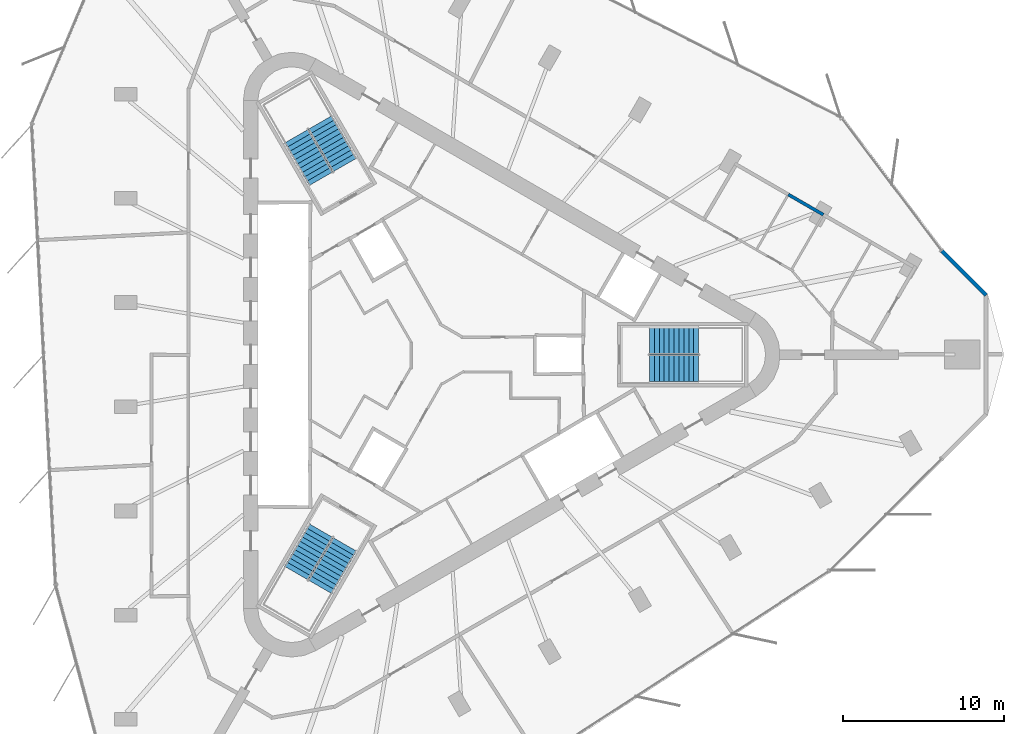
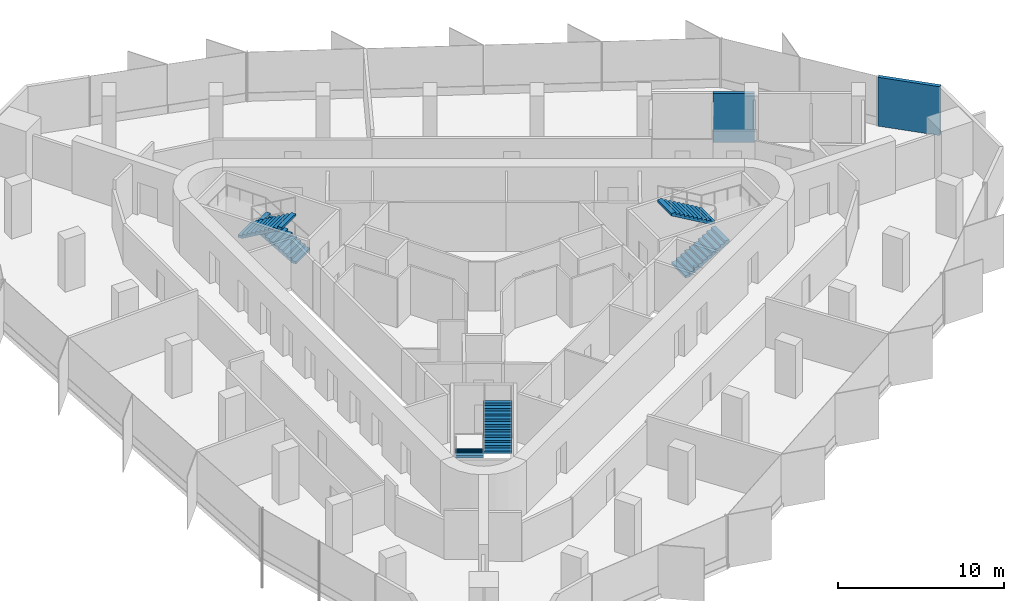
# One storey, part 11 of 12: 6 stair flights, 2 walls, 3 elements without a shape of their own.
"""IFC4 building model written with IfcOpenShell, lengths in metres."""

from ifc_helpers import new_model, si_unit, direction, frame, frame_2d, origin, place, context, subcontext, project, spatial, polyline, rectangle, outline, extrude, material, layer, layer_set, type_object, element, aggregate, save


model = new_model("IFC4")

# Units and contexts
model_context = context("Model", 3, precision=1e-05, world=origin(), true_north=direction((0.0, 1.0)))
body_context = subcontext(model_context, "Body", "Model", "MODEL_VIEW")
ifc_project = project(units=[si_unit("LENGTHUNIT", "METRE"), si_unit("AREAUNIT", "SQUARE_METRE"), si_unit("VOLUMEUNIT", "CUBIC_METRE"), si_unit("PLANEANGLEUNIT", "RADIAN"), si_unit("MASSUNIT", "GRAM", prefix="KILO")], contexts=[model_context])

# Site, building, storey
site_placement = place(None, origin())
site = spatial("IfcSite", under=ifc_project, at=site_placement, CompositionType="ELEMENT")
building_placement = place(site_placement, origin())
building = spatial("IfcBuilding", under=site, at=building_placement, Name="Tanit Gate Tower", CompositionType="ELEMENT")
storey_placement = place(building_placement, frame((0.0, 0.0, 357.199951171875)))
storey = spatial("IfcBuildingStorey", under=building, at=storey_placement, Name="L81", CompositionType="ELEMENT", Elevation=357.199951171875)

# Walls
ifc_material_1 = material(Name="Concrete C30/37 with bronze anodised aluminium cladding", Category="concrete")
ifc_layer_1 = layer(ifc_material_1, 0.239990234375)
ifc_layer_set_1 = layer_set([ifc_layer_1], Name="Facade wall bronze clad 240")
wall_type_1 = type_object("IfcWallType", Name="Facade wall bronze clad 240", PredefinedType="SOLIDWALL", material=ifc_layer_set_1)
wall_1_placement = place(storey_placement, frame((33.976318359375, 3.697998046875, 0.0), z_axis=(0.0, 0.0, 1.0), x_axis=(-0.70707522871, 0.707138332255, 0.0)))
element("IfcWall", 1, at=wall_1_placement, inside=storey, type_object=wall_type_1, Name="Bronze-clad facade wall L81 E.arc3", PredefinedType="SOLIDWALL", context=body_context, shape_type="SweptSolid", body=[
    extrude(rectangle(XDim=3.868896484375, YDim=0.239990234375, at=frame_2d((1.9345703125, 0.0))), origin(), (0.0, 0.0, 1.0), 3.60009765625),
])
ifc_material_2 = material(Name="Fire-rated gypsum board partition")
ifc_layer_2 = layer(ifc_material_2, 0.199951171875)
ifc_layer_set_2 = layer_set([ifc_layer_2], Name="INT-WALL-COMPARTMENT")
wall_type_2 = type_object("IfcWallType", Name="INT-WALL-COMPARTMENT", PredefinedType="PARTITIONING", material=ifc_layer_set_2)
wall_2_placement = place(storey_placement, frame((21.71240234375, 9.934814453125, 0.0), z_axis=(0.0, 0.0, 1.0), x_axis=(0.866019930389, -0.500009480079, 0.0)))
element("IfcWall", 2, at=wall_2_placement, inside=storey, type_object=wall_type_2, Name="Wall Compartment W121", PredefinedType="PARTITIONING", context=body_context, shape_type="SweptSolid", body=[
    extrude(rectangle(XDim=2.50341796875, YDim=0.199951171875, at=frame_2d((1.251708984375, 0.0))), origin(), (0.0, 0.0, 1.0), 3.60009765625),
])

# Stair, stair flights
ifc_material_3 = material(Name="Concrete C40/50", Category="concrete")
stair_type = type_object("IfcStairType", Name="INT-STAIR-EXIT", PredefinedType="HALF_TURN_STAIR", material=ifc_material_3)
stair_1_placement = place(storey_placement, origin())
stair_1 = element("IfcStair", 3, at=stair_1_placement, inside=storey, type_object=stair_type, Name="L81 STAIR S1", PredefinedType="HALF_TURN_STAIR")
ifc_material_4 = material(Name="Concrete C40/50", Category="concrete")
stair_flight_type = type_object("IfcStairFlightType", Name="INT-STAIR-FLIGHT", PredefinedType="STRAIGHT", material=ifc_material_4)
stair_flight_1_placement = place(storey_placement, frame((13.094970703125, -0.8525390625, 0.0), z_axis=(0.0, 0.0, 1.0), x_axis=(1.0, 0.0, 0.0)))
stair_flight_1 = element("IfcStairFlight", 4, at=stair_flight_1_placement, type_object=stair_flight_type, Name="S1 flight 1", NumberOfRisers=11, NumberOfTreads=10, PredefinedType="STRAIGHT", RiserHeight=0.177272727, TreadLength=0.3051, context=body_context, shape_type="SweptSolid", body=[
    extrude(outline(polyline([(0.0, 0.0), (0.0, 0.17724609375), (0.30517578125, 0.17724609375), (0.30517578125, 0.3544921875), (0.610107421875, 0.3544921875), (0.610107421875, 0.53173828125), (0.915283203125, 0.53173828125), (0.915283203125, 0.708984375), (1.220458984375, 0.708984375), (1.220458984375, 0.886474609375), (1.525390625, 0.886474609375), (1.525390625, 1.063720703125), (1.83056640625, 1.063720703125), (1.83056640625, 1.240966796875), (2.1357421875, 1.240966796875), (2.1357421875, 1.418212890625), (2.44091796875, 1.418212890625), (2.44091796875, 1.595458984375), (2.745849609375, 1.595458984375), (2.745849609375, 1.772705078125), (3.051025390625, 1.772705078125), (3.051025390625, 1.949951171875), (3.051025390625, 1.599365234375), (0.29833984375, 0.0), (0.0, 0.0)])), frame((0.0, 0.84765625, 0.0), z_axis=(0.0, -1.0, 0.0), x_axis=(1.0, 0.0, 0.0)), (0.0, 0.0, 1.0), 1.695068359375),
])
stair_flight_2_placement = place(storey_placement, frame((16.14599609375, 0.8525390625, 1.949951171875), z_axis=(0.0, 0.0, 1.0), x_axis=(-1.0, 0.0, 0.0)))
stair_flight_2 = element("IfcStairFlight", 5, at=stair_flight_2_placement, type_object=stair_flight_type, Name="S1 flight 2", NumberOfRisers=11, NumberOfTreads=10, PredefinedType="STRAIGHT", RiserHeight=0.177272727, TreadLength=0.3051, context=body_context, shape_type="SweptSolid", body=[
    extrude(outline(polyline([(0.0, 0.0), (0.0, 0.17724609375), (0.30517578125, 0.17724609375), (0.30517578125, 0.3544921875), (0.610107421875, 0.3544921875), (0.610107421875, 0.53173828125), (0.915283203125, 0.53173828125), (0.915283203125, 0.708984375), (1.220458984375, 0.708984375), (1.220458984375, 0.886474609375), (1.525390625, 0.886474609375), (1.525390625, 1.063720703125), (1.83056640625, 1.063720703125), (1.83056640625, 1.240966796875), (2.1357421875, 1.240966796875), (2.1357421875, 1.418212890625), (2.44091796875, 1.418212890625), (2.44091796875, 1.595458984375), (2.745849609375, 1.595458984375), (2.745849609375, 1.772705078125), (3.051025390625, 1.772705078125), (3.051025390625, 1.949951171875), (3.051025390625, 1.599365234375), (0.29833984375, 0.0), (0.0, 0.0)])), frame((0.0, 0.84765625, 0.0), z_axis=(0.0, -1.0, 0.0), x_axis=(1.0, 0.0, 0.0)), (0.0, 0.0, 1.0), 1.695068359375),
])
aggregate(stair_1, [stair_flight_1, stair_flight_2])

stair_2_placement = place(storey_placement, origin())
stair_2 = element("IfcStair", 6, at=stair_2_placement, inside=storey, type_object=stair_type, Name="L81 STAIR S2", PredefinedType="HALF_TURN_STAIR")
stair_flight_3_placement = place(storey_placement, frame((-5.808349609375, 11.766357421875, 0.0), z_axis=(0.0, 0.0, 1.0), x_axis=(-0.5, 0.866025403784, 0.0)))
stair_flight_3 = element("IfcStairFlight", 7, at=stair_flight_3_placement, type_object=stair_flight_type, Name="S2 flight 1", NumberOfRisers=11, NumberOfTreads=10, PredefinedType="STRAIGHT", RiserHeight=0.177272727, TreadLength=0.30492, context=body_context, shape_type="SweptSolid", body=[
    extrude(outline(polyline([(0.0, 0.0), (0.0, 0.17724609375), (0.304931640625, 0.17724609375), (0.304931640625, 0.3544921875), (0.60986328125, 0.3544921875), (0.60986328125, 0.53173828125), (0.914794921875, 0.53173828125), (0.914794921875, 0.708984375), (1.2197265625, 0.708984375), (1.2197265625, 0.886474609375), (1.524658203125, 0.886474609375), (1.524658203125, 1.063720703125), (1.82958984375, 1.063720703125), (1.82958984375, 1.240966796875), (2.134521484375, 1.240966796875), (2.134521484375, 1.418212890625), (2.439453125, 1.418212890625), (2.439453125, 1.595458984375), (2.744384765625, 1.595458984375), (2.744384765625, 1.772705078125), (3.04931640625, 1.772705078125), (3.04931640625, 1.949951171875), (3.04931640625, 1.599365234375), (0.29833984375, 0.0), (0.0, 0.0)])), frame((0.0, 0.84716796875, 0.0), z_axis=(0.0, -1.0, 0.0), x_axis=(1.0, 0.0, 0.0)), (0.0, 0.0, 1.0), 1.694091796875),
])
stair_flight_4_placement = place(storey_placement, frame((-8.810302734375, 13.553955078125, 1.949951171875), z_axis=(0.0, 0.0, 1.0), x_axis=(0.5, -0.866025403784, 0.0)))
stair_flight_4 = element("IfcStairFlight", 8, at=stair_flight_4_placement, type_object=stair_flight_type, Name="S2 flight 2", NumberOfRisers=11, NumberOfTreads=10, PredefinedType="STRAIGHT", RiserHeight=0.177272727, TreadLength=0.30492, context=body_context, shape_type="SweptSolid", body=[
    extrude(outline(polyline([(0.0, 0.0), (0.0, 0.17724609375), (0.304931640625, 0.17724609375), (0.304931640625, 0.3544921875), (0.60986328125, 0.3544921875), (0.60986328125, 0.53173828125), (0.914794921875, 0.53173828125), (0.914794921875, 0.708984375), (1.2197265625, 0.708984375), (1.2197265625, 0.886474609375), (1.524658203125, 0.886474609375), (1.524658203125, 1.063720703125), (1.82958984375, 1.063720703125), (1.82958984375, 1.240966796875), (2.134521484375, 1.240966796875), (2.134521484375, 1.418212890625), (2.439453125, 1.418212890625), (2.439453125, 1.595458984375), (2.744384765625, 1.595458984375), (2.744384765625, 1.772705078125), (3.04931640625, 1.772705078125), (3.04931640625, 1.949951171875), (3.04931640625, 1.599365234375), (0.29833984375, 0.0), (0.0, 0.0)])), frame((0.0, 0.84716796875, 0.0), z_axis=(0.0, -1.0, 0.0), x_axis=(1.0, 0.0, 0.0)), (0.0, 0.0, 1.0), 1.694091796875),
])
aggregate(stair_2, [stair_flight_3, stair_flight_4])

stair_3_placement = place(storey_placement, origin())
stair_3 = element("IfcStair", 9, at=stair_3_placement, inside=storey, type_object=stair_type, Name="L81 STAIR S3", PredefinedType="HALF_TURN_STAIR")
stair_flight_5_placement = place(storey_placement, frame((-7.285888671875, -10.914306640625, 0.0), z_axis=(0.0, 0.0, 1.0), x_axis=(-0.5, -0.866025403784, 0.0)))
stair_flight_5 = element("IfcStairFlight", 10, at=stair_flight_5_placement, type_object=stair_flight_type, Name="S3 flight 1", NumberOfRisers=11, NumberOfTreads=10, PredefinedType="STRAIGHT", RiserHeight=0.177272727, TreadLength=0.3051, context=body_context, shape_type="SweptSolid", body=[
    extrude(outline(polyline([(0.0, 0.0), (0.0, 0.17724609375), (0.30517578125, 0.17724609375), (0.30517578125, 0.3544921875), (0.610107421875, 0.3544921875), (0.610107421875, 0.53173828125), (0.915283203125, 0.53173828125), (0.915283203125, 0.708984375), (1.220458984375, 0.708984375), (1.220458984375, 0.886474609375), (1.525390625, 0.886474609375), (1.525390625, 1.063720703125), (1.83056640625, 1.063720703125), (1.83056640625, 1.240966796875), (2.1357421875, 1.240966796875), (2.1357421875, 1.418212890625), (2.44091796875, 1.418212890625), (2.44091796875, 1.595458984375), (2.745849609375, 1.595458984375), (2.745849609375, 1.772705078125), (3.051025390625, 1.772705078125), (3.051025390625, 1.949951171875), (3.051025390625, 1.599365234375), (0.29833984375, 0.0), (0.0, 0.0)])), frame((0.0, 0.84765625, 0.0), z_axis=(0.0, -1.0, 0.0), x_axis=(1.0, 0.0, 0.0)), (0.0, 0.0, 1.0), 1.695068359375),
])
stair_flight_6_placement = place(storey_placement, frame((-7.334716796875, -14.4091796875, 1.949951171875), z_axis=(0.0, 0.0, 1.0), x_axis=(0.5, 0.866025403784, 0.0)))
stair_flight_6 = element("IfcStairFlight", 11, at=stair_flight_6_placement, type_object=stair_flight_type, Name="S3 flight 2", NumberOfRisers=11, NumberOfTreads=10, PredefinedType="STRAIGHT", RiserHeight=0.177272727, TreadLength=0.3051, context=body_context, shape_type="SweptSolid", body=[
    extrude(outline(polyline([(0.0, 0.0), (0.0, 0.17724609375), (0.30517578125, 0.17724609375), (0.30517578125, 0.3544921875), (0.610107421875, 0.3544921875), (0.610107421875, 0.53173828125), (0.915283203125, 0.53173828125), (0.915283203125, 0.708984375), (1.220458984375, 0.708984375), (1.220458984375, 0.886474609375), (1.525390625, 0.886474609375), (1.525390625, 1.063720703125), (1.83056640625, 1.063720703125), (1.83056640625, 1.240966796875), (2.1357421875, 1.240966796875), (2.1357421875, 1.418212890625), (2.44091796875, 1.418212890625), (2.44091796875, 1.595458984375), (2.745849609375, 1.595458984375), (2.745849609375, 1.772705078125), (3.051025390625, 1.772705078125), (3.051025390625, 1.949951171875), (3.051025390625, 1.599365234375), (0.29833984375, 0.0), (0.0, 0.0)])), frame((0.0, 0.84765625, 0.0), z_axis=(0.0, -1.0, 0.0), x_axis=(1.0, 0.0, 0.0)), (0.0, 0.0, 1.0), 1.695068359375),
])
aggregate(stair_3, [stair_flight_5, stair_flight_6])

save(model, "model.ifc")
